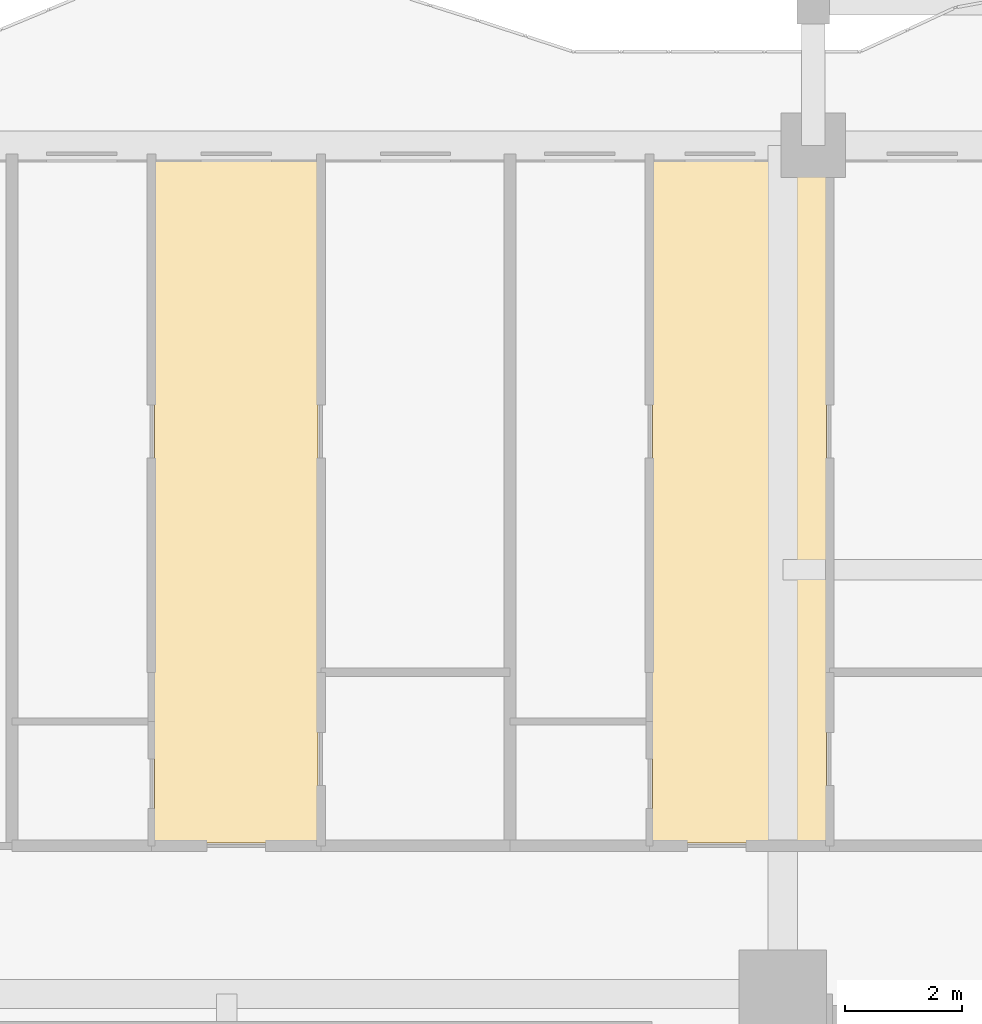
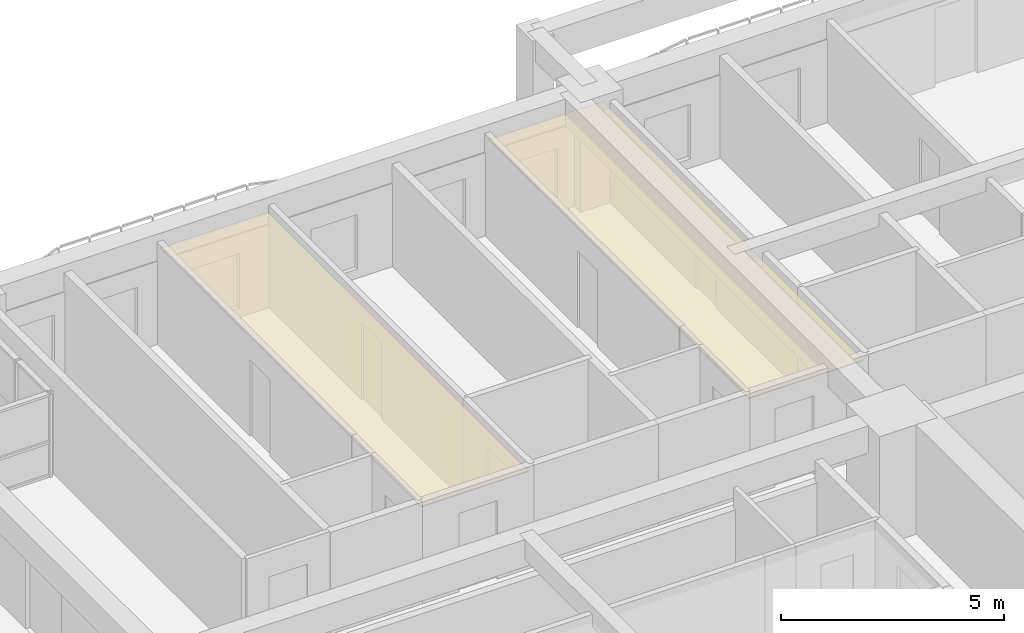
# One storey, part 27 of 28: 2 coverings.
"""IFC4 building model written with IfcOpenShell, lengths in metres."""

from ifc_helpers import new_model, si_unit, direction, frame, origin, place, context, subcontext, project, spatial, polyline, outline, extrude, material, layer, layer_set, type_object, element, save


model = new_model("IFC4")

# Units and contexts
model_context = context("Model", 3, precision=1e-05, world=origin(), true_north=direction((0.0, 1.0)))
body_context = subcontext(model_context, "Body", "Model", "MODEL_VIEW")
ifc_project = project(units=[si_unit("LENGTHUNIT", "METRE"), si_unit("AREAUNIT", "SQUARE_METRE"), si_unit("VOLUMEUNIT", "CUBIC_METRE"), si_unit("PLANEANGLEUNIT", "RADIAN"), si_unit("MASSUNIT", "GRAM", prefix="KILO")], contexts=[model_context])

# Site, building, storey
site_placement = place(None, origin())
site = spatial("IfcSite", under=ifc_project, at=site_placement, CompositionType="ELEMENT")
building_placement = place(site_placement, origin())
building = spatial("IfcBuilding", under=site, at=building_placement, Name="Saelheon Loggia Tower", CompositionType="ELEMENT")
storey_placement = place(building_placement, frame((0.0, 0.0, 61.39990234375)))
storey = spatial("IfcBuildingStorey", under=building, at=storey_placement, Name="L19", CompositionType="ELEMENT", Elevation=61.39990234375)

# Coverings
ifc_material = material(Name="Mineral-Fibre Acoustic Ceiling Board", Category="gypsum")
ifc_layer = layer(ifc_material, 0.02490234375)
ifc_layer_set = layer_set([ifc_layer], Name="Mineral-Fibre Acoustic Ceiling Board")
covering_type = type_object("IfcCoveringType", Name="Cov_Ceiling_Acoustic", PredefinedType="CEILING", material=ifc_layer_set)
covering_1_placement = place(storey_placement, frame((0.0, 0.0, 2.53515625)))
element("IfcCovering", 1, at=covering_1_placement, inside=storey, type_object=covering_type, Name="L19 Acoustic Suspended Ceiling", PredefinedType="CEILING", context=body_context, shape_type="SweptSolid", body=[
    extrude(outline(polyline([(20.259521484375, 39.10009765625), (23.048828125, 39.10009765625), (23.048828125, 50.800048828125), (20.259521484375, 50.800048828125), (20.259521484375, 39.10009765625)])), origin(), (0.0, 0.0, 1.0), 0.02490234375),
])
covering_2_placement = place(storey_placement, frame((0.0, 0.0, 2.53515625)))
element("IfcCovering", 2, at=covering_2_placement, inside=storey, type_object=covering_type, Name="L19 Acoustic Suspended Ceiling", PredefinedType="CEILING", context=body_context, shape_type="SweptSolid", body=[
    extrude(outline(polyline([(28.75732421875, 39.10009765625), (31.72998046875, 39.10009765625), (31.72998046875, 50.800048828125), (28.75732421875, 50.800048828125), (28.75732421875, 39.10009765625)])), origin(), (0.0, 0.0, 1.0), 0.02490234375),
])

save(model, "model.ifc")
